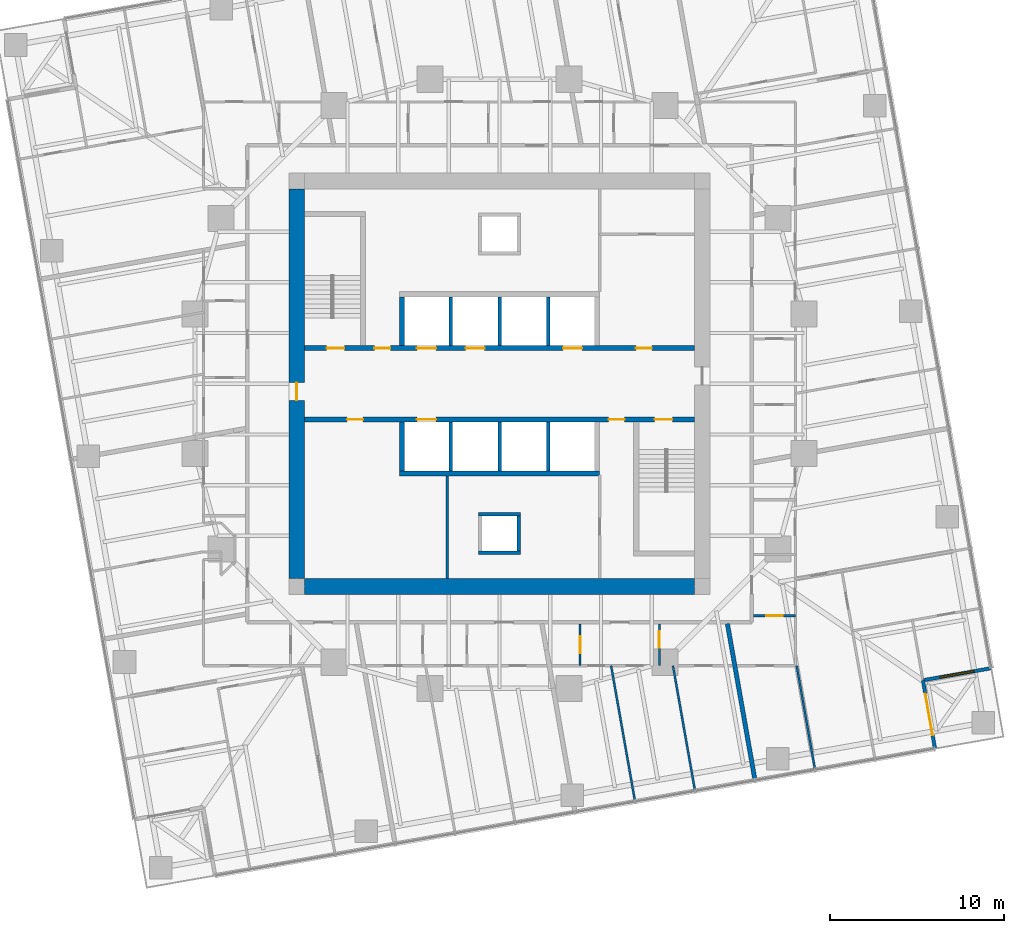
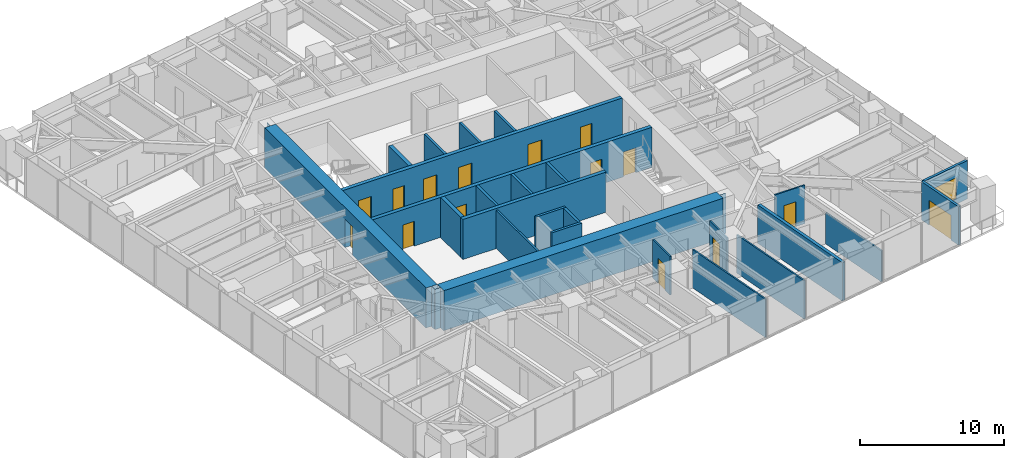
# One storey, part 10 of 14: 26 walls, 15 doors, 1 window, 16 openings.
"""IFC4 building model written with IfcOpenShell, lengths in metres."""

from ifc_helpers import new_model, si_unit, direction, frame, frame_2d, origin, place, context, subcontext, project, spatial, polyline, rectangle, outline, extrude, material, layer, layer_set, type_object, element, fill, save


model = new_model("IFC4")

# Units and contexts
model_context = context("Model", 3, precision=1e-05, world=origin(), true_north=direction((0.0, 1.0)))
body_context = subcontext(model_context, "Body", "Model", "MODEL_VIEW")
ifc_project = project(units=[si_unit("LENGTHUNIT", "METRE"), si_unit("AREAUNIT", "SQUARE_METRE"), si_unit("VOLUMEUNIT", "CUBIC_METRE"), si_unit("PLANEANGLEUNIT", "RADIAN"), si_unit("MASSUNIT", "GRAM", prefix="KILO")], contexts=[model_context])

# Site, building, storey
site_placement = place(None, origin())
site = spatial("IfcSite", under=ifc_project, at=site_placement, CompositionType="ELEMENT")
building_placement = place(site_placement, origin())
building = spatial("IfcBuilding", under=site, at=building_placement, Name="Torsade Residences", CompositionType="ELEMENT")
storey_placement = place(building_placement, frame((0.0, 0.0, 96.39990234375)))
storey = spatial("IfcBuildingStorey", under=building, at=storey_placement, Name="L26", CompositionType="ELEMENT", Elevation=96.39990234375)

# Wall, openings, doors
ifc_material_1 = material(Name="Concrete 80 MPa", Category="concrete")
ifc_layer_1 = layer(ifc_material_1, 0.300048828125)
ifc_layer_set_1 = layer_set([ifc_layer_1], Name="Concrete 80 MPa")
wall_type_1 = type_object("IfcWallType", Name="CORE INTERNAL WALL 300", PredefinedType="SHEAR", material=ifc_layer_set_1)
wall_1_placement = place(storey_placement, frame((28.800048828125, 32.050048828125, 0.0), z_axis=(0.0, 0.0, 1.0), x_axis=(1.0, 0.0, 0.0)))
wall_1 = element("IfcWall", 1, at=wall_1_placement, inside=storey, type_object=wall_type_1, Name="Core wall LN L26", PredefinedType="SHEAR", context=body_context, shape_type="SweptSolid", body=[
    extrude(rectangle(XDim=22.39990234375, YDim=0.300048828125, at=frame_2d((11.199951171875, 0.0))), origin(), (0.0, 0.0, 1.0), 3.400146484375),
])
opening_1_placement = place(wall_1_placement, frame((19.0400390625, 0.0, 0.0)))
opening_1 = element("IfcOpeningElement", 2, at=opening_1_placement, cuts=wall_1, Name="Opening D06", PredefinedType="OPENING", context=body_context, shape_type="SweptSolid", body=[
    extrude(rectangle(XDim=0.919921875, YDim=2.10009765625, at=frame_2d((0.4599609375, 1.050048828125))), frame((0.0, 0.159912109375, 0.0), z_axis=(0.0, -1.0, 0.0), x_axis=(1.0, 0.0, 0.0)), (0.0, 0.0, 1.0), 0.320068359375),
])
opening_2_placement = place(wall_1_placement, frame((1.264892578125, 0.0, 0.0)))
opening_2 = element("IfcOpeningElement", 3, at=opening_2_placement, cuts=wall_1, Name="Opening D03", PredefinedType="OPENING", context=body_context, shape_type="SweptSolid", body=[
    extrude(rectangle(XDim=1.02001953125, YDim=2.10009765625, at=frame_2d((0.510009765625, 1.050048828125))), frame((0.0, 0.159912109375, 0.0), z_axis=(0.0, -1.0, 0.0), x_axis=(1.0, 0.0, 0.0)), (0.0, 0.0, 1.0), 0.320068359375),
])
opening_3_placement = place(wall_1_placement, frame((4.014892578125, 0.0, 0.0)))
opening_3 = element("IfcOpeningElement", 4, at=opening_3_placement, cuts=wall_1, Name="Opening D06", PredefinedType="OPENING", context=body_context, shape_type="SweptSolid", body=[
    extrude(rectangle(XDim=0.919921875, YDim=2.10009765625, at=frame_2d((0.4599609375, 1.050048828125))), frame((0.0, 0.159912109375, 0.0), z_axis=(0.0, -1.0, 0.0), x_axis=(1.0, 0.0, 0.0)), (0.0, 0.0, 1.0), 0.320068359375),
])
opening_4_placement = place(wall_1_placement, frame((6.449951171875, 0.0, 0.0)))
opening_4 = element("IfcOpeningElement", 5, at=opening_4_placement, cuts=wall_1, Name="Opening LD", PredefinedType="OPENING", context=body_context, shape_type="SweptSolid", body=[
    extrude(rectangle(XDim=1.10009765625, YDim=2.10009765625, at=frame_2d((0.550048828125, 1.050048828125))), frame((0.0, 0.159912109375, 0.0), z_axis=(0.0, -1.0, 0.0), x_axis=(1.0, 0.0, 0.0)), (0.0, 0.0, 1.0), 0.320068359375),
])
opening_5_placement = place(wall_1_placement, frame((9.25, 0.0, 0.0)))
opening_5 = element("IfcOpeningElement", 6, at=opening_5_placement, cuts=wall_1, Name="Opening LD", PredefinedType="OPENING", context=body_context, shape_type="SweptSolid", body=[
    extrude(rectangle(XDim=1.10009765625, YDim=2.10009765625, at=frame_2d((0.550048828125, 1.050048828125))), frame((0.0, 0.159912109375, 0.0), z_axis=(0.0, -1.0, 0.0), x_axis=(1.0, 0.0, 0.0)), (0.0, 0.0, 1.0), 0.320068359375),
])
opening_6_placement = place(wall_1_placement, frame((14.85009765625, 0.0, 0.0)))
opening_6 = element("IfcOpeningElement", 7, at=opening_6_placement, cuts=wall_1, Name="Opening LD", PredefinedType="OPENING", context=body_context, shape_type="SweptSolid", body=[
    extrude(rectangle(XDim=1.10009765625, YDim=2.10009765625, at=frame_2d((0.550048828125, 1.050048828125))), frame((0.0, 0.159912109375, 0.0), z_axis=(0.0, -1.0, 0.0), x_axis=(1.0, 0.0, 0.0)), (0.0, 0.0, 1.0), 0.320068359375),
])
ifc_material_2 = material(Name="Steel-framed fire door", Category="steel")
door_type_1 = type_object("IfcDoorType", Name="FIRE DOOR 1020", OperationType="NOTDEFINED", PredefinedType="DOOR", material=ifc_material_2)
door_1_placement = place(opening_2_placement, origin())
door_1 = element("IfcDoor", 8, at=door_1_placement, inside=storey, type_object=door_type_1, Name="Exit door to fire-isolated stair ST1 L26", OperationType="SINGLE_SWING_RIGHT", OverallHeight=2.10009765625, OverallWidth=1.02001953125, PredefinedType="DOOR", context=body_context, shape_type="SweptSolid", body=[
    extrude(rectangle(XDim=1.02001953125, YDim=2.10009765625, at=frame_2d((0.510009765625, 1.050048828125))), frame((0.0, 0.02490234375, 0.0), z_axis=(0.0, -1.0, 0.0), x_axis=(1.0, 0.0, 0.0)), (0.0, 0.0, 1.0), 0.050048828125),
])
fill(opening_2, door_1)
ifc_material_3 = material(Name="Steel-framed fire door", Category="steel")
door_type_2 = type_object("IfcDoorType", Name="FIRE DOOR 920", OperationType="NOTDEFINED", PredefinedType="DOOR", material=ifc_material_3)
door_2_placement = place(opening_1_placement, origin())
door_2 = element("IfcDoor", 9, at=door_2_placement, inside=storey, type_object=door_type_2, Name="Door Lift lobby to Refuse room", OperationType="SINGLE_SWING_LEFT", OverallHeight=2.10009765625, OverallWidth=0.919921875, PredefinedType="DOOR", context=body_context, shape_type="SweptSolid", body=[
    extrude(rectangle(XDim=0.919921875, YDim=2.10009765625, at=frame_2d((0.4599609375, 1.050048828125))), frame((0.0, 0.02490234375, 0.0), z_axis=(0.0, -1.0, 0.0), x_axis=(1.0, 0.0, 0.0)), (0.0, 0.0, 1.0), 0.050048828125),
])
fill(opening_1, door_2)
door_3_placement = place(opening_3_placement, origin())
door_3 = element("IfcDoor", 10, at=door_3_placement, inside=storey, type_object=door_type_2, Name="Door Lift lobby to Electrical riser room", OperationType="SINGLE_SWING_LEFT", OverallHeight=2.10009765625, OverallWidth=0.919921875, PredefinedType="DOOR", context=body_context, shape_type="SweptSolid", body=[
    extrude(rectangle(XDim=0.919921875, YDim=2.10009765625, at=frame_2d((0.4599609375, 1.050048828125))), frame((0.0, 0.02490234375, 0.0), z_axis=(0.0, -1.0, 0.0), x_axis=(1.0, 0.0, 0.0)), (0.0, 0.0, 1.0), 0.050048828125),
])
fill(opening_3, door_3)
ifc_material_4 = material(Name="Stainless steel lift landing door", Category="steel")
door_type_3 = type_object("IfcDoorType", Name="LIFT LANDING DOOR 1100", OperationType="SLIDING_TO_LEFT", PredefinedType="DOOR", material=ifc_material_4)
door_4_placement = place(opening_4_placement, origin())
door_4 = element("IfcDoor", 11, at=door_4_placement, inside=storey, type_object=door_type_3, Name="Lift LA1 landing door L26", OperationType="SLIDING_TO_LEFT", OverallHeight=2.10009765625, OverallWidth=1.10009765625, PredefinedType="DOOR", context=body_context, shape_type="SweptSolid", body=[
    extrude(rectangle(XDim=1.10009765625, YDim=2.10009765625, at=frame_2d((0.550048828125, 1.050048828125))), frame((0.0, 0.02490234375, 0.0), z_axis=(0.0, -1.0, 0.0), x_axis=(1.0, 0.0, 0.0)), (0.0, 0.0, 1.0), 0.050048828125),
])
fill(opening_4, door_4)
door_5_placement = place(opening_5_placement, origin())
door_5 = element("IfcDoor", 12, at=door_5_placement, inside=storey, type_object=door_type_3, Name="Lift LA2 landing door L26", OperationType="SLIDING_TO_LEFT", OverallHeight=2.10009765625, OverallWidth=1.10009765625, PredefinedType="DOOR", context=body_context, shape_type="SweptSolid", body=[
    extrude(rectangle(XDim=1.10009765625, YDim=2.10009765625, at=frame_2d((0.550048828125, 1.050048828125))), frame((0.0, 0.02490234375, 0.0), z_axis=(0.0, -1.0, 0.0), x_axis=(1.0, 0.0, 0.0)), (0.0, 0.0, 1.0), 0.050048828125),
])
fill(opening_5, door_5)
door_6_placement = place(opening_6_placement, origin())
door_6 = element("IfcDoor", 13, at=door_6_placement, inside=storey, type_object=door_type_3, Name="Lift FL1 landing door L26", OperationType="SLIDING_TO_LEFT", OverallHeight=2.10009765625, OverallWidth=1.10009765625, PredefinedType="DOOR", context=body_context, shape_type="SweptSolid", body=[
    extrude(rectangle(XDim=1.10009765625, YDim=2.10009765625, at=frame_2d((0.550048828125, 1.050048828125))), frame((0.0, 0.02490234375, 0.0), z_axis=(0.0, -1.0, 0.0), x_axis=(1.0, 0.0, 0.0)), (0.0, 0.0, 1.0), 0.050048828125),
])
fill(opening_6, door_6)

wall_2_placement = place(storey_placement, frame((51.199951171875, 27.949951171875, 0.0), z_axis=(0.0, 0.0, 1.0), x_axis=(-1.0, 0.0, 0.0)))
wall_2 = element("IfcWall", 14, at=wall_2_placement, inside=storey, type_object=wall_type_1, Name="Core wall LS L26", PredefinedType="SHEAR", context=body_context, shape_type="SweptSolid", body=[
    extrude(rectangle(XDim=22.39990234375, YDim=0.300048828125, at=frame_2d((11.199951171875, 0.0))), origin(), (0.0, 0.0, 1.0), 3.400146484375),
])
opening_7_placement = place(wall_2_placement, frame((19.0400390625, 0.0, 0.0)))
opening_7 = element("IfcOpeningElement", 15, at=opening_7_placement, cuts=wall_2, Name="Opening D06", PredefinedType="OPENING", context=body_context, shape_type="SweptSolid", body=[
    extrude(rectangle(XDim=0.919921875, YDim=2.10009765625, at=frame_2d((0.4599609375, 1.050048828125))), frame((0.0, 0.159912109375, 0.0), z_axis=(0.0, -1.0, 0.0), x_axis=(1.0, 0.0, 0.0)), (0.0, 0.0, 1.0), 0.320068359375),
])
opening_8_placement = place(wall_2_placement, frame((1.264892578125, 0.0, 0.0)))
opening_8 = element("IfcOpeningElement", 16, at=opening_8_placement, cuts=wall_2, Name="Opening D03", PredefinedType="OPENING", context=body_context, shape_type="SweptSolid", body=[
    extrude(rectangle(XDim=1.02001953125, YDim=2.10009765625, at=frame_2d((0.510009765625, 1.050048828125))), frame((0.0, 0.159912109375, 0.0), z_axis=(0.0, -1.0, 0.0), x_axis=(1.0, 0.0, 0.0)), (0.0, 0.0, 1.0), 0.320068359375),
])
opening_9_placement = place(wall_2_placement, frame((4.014892578125, 0.0, 0.0)))
opening_9 = element("IfcOpeningElement", 17, at=opening_9_placement, cuts=wall_2, Name="Opening D06", PredefinedType="OPENING", context=body_context, shape_type="SweptSolid", body=[
    extrude(rectangle(XDim=0.919921875, YDim=2.10009765625, at=frame_2d((0.4599609375, 1.050048828125))), frame((0.0, 0.159912109375, 0.0), z_axis=(0.0, -1.0, 0.0), x_axis=(1.0, 0.0, 0.0)), (0.0, 0.0, 1.0), 0.320068359375),
])
opening_10_placement = place(wall_2_placement, frame((14.85009765625, 0.0, 0.0)))
opening_10 = element("IfcOpeningElement", 18, at=opening_10_placement, cuts=wall_2, Name="Opening LD", PredefinedType="OPENING", context=body_context, shape_type="SweptSolid", body=[
    extrude(rectangle(XDim=1.10009765625, YDim=2.10009765625, at=frame_2d((0.550048828125, 1.050048828125))), frame((0.0, 0.159912109375, 0.0), z_axis=(0.0, -1.0, 0.0), x_axis=(1.0, 0.0, 0.0)), (0.0, 0.0, 1.0), 0.320068359375),
])
door_7_placement = place(opening_8_placement, origin())
door_7 = element("IfcDoor", 19, at=door_7_placement, inside=storey, type_object=door_type_1, Name="Exit door to fire-isolated stair ST2 L26", OperationType="SINGLE_SWING_RIGHT", OverallHeight=2.10009765625, OverallWidth=1.02001953125, PredefinedType="DOOR", context=body_context, shape_type="SweptSolid", body=[
    extrude(rectangle(XDim=1.02001953125, YDim=2.10009765625, at=frame_2d((0.510009765625, 1.050048828125))), frame((0.0, 0.02490234375, 0.0), z_axis=(0.0, -1.0, 0.0), x_axis=(1.0, 0.0, 0.0)), (0.0, 0.0, 1.0), 0.050048828125),
])
fill(opening_8, door_7)
door_8_placement = place(opening_7_placement, origin())
door_8 = element("IfcDoor", 20, at=door_8_placement, inside=storey, type_object=door_type_2, Name="Door Lift lobby to Cleaner store", OperationType="SINGLE_SWING_LEFT", OverallHeight=2.10009765625, OverallWidth=0.919921875, PredefinedType="DOOR", context=body_context, shape_type="SweptSolid", body=[
    extrude(rectangle(XDim=0.919921875, YDim=2.10009765625, at=frame_2d((0.4599609375, 1.050048828125))), frame((0.0, 0.02490234375, 0.0), z_axis=(0.0, -1.0, 0.0), x_axis=(1.0, 0.0, 0.0)), (0.0, 0.0, 1.0), 0.050048828125),
])
fill(opening_7, door_8)
door_9_placement = place(opening_9_placement, origin())
door_9 = element("IfcDoor", 21, at=door_9_placement, inside=storey, type_object=door_type_2, Name="Door Lift lobby to Security and data store", OperationType="SINGLE_SWING_RIGHT", OverallHeight=2.10009765625, OverallWidth=0.919921875, PredefinedType="DOOR", context=body_context, shape_type="SweptSolid", body=[
    extrude(rectangle(XDim=0.919921875, YDim=2.10009765625, at=frame_2d((0.4599609375, 1.050048828125))), frame((0.0, 0.02490234375, 0.0), z_axis=(0.0, -1.0, 0.0), x_axis=(1.0, 0.0, 0.0)), (0.0, 0.0, 1.0), 0.050048828125),
])
fill(opening_9, door_9)
door_10_placement = place(opening_10_placement, origin())
door_10 = element("IfcDoor", 22, at=door_10_placement, inside=storey, type_object=door_type_3, Name="Lift FL2 landing door L26", OperationType="SLIDING_TO_LEFT", OverallHeight=2.10009765625, OverallWidth=1.10009765625, PredefinedType="DOOR", context=body_context, shape_type="SweptSolid", body=[
    extrude(rectangle(XDim=1.10009765625, YDim=2.10009765625, at=frame_2d((0.550048828125, 1.050048828125))), frame((0.0, 0.02490234375, 0.0), z_axis=(0.0, -1.0, 0.0), x_axis=(1.0, 0.0, 0.0)), (0.0, 0.0, 1.0), 0.050048828125),
])
fill(opening_10, door_10)

# Walls
wall_3_placement = place(storey_placement, frame((45.75, 24.85009765625, 0.0), z_axis=(0.0, 0.0, 1.0), x_axis=(-1.0, 0.0, 0.0)))
element("IfcWall", 23, at=wall_3_placement, inside=storey, type_object=wall_type_1, Name="Core wall BS L26", PredefinedType="SHEAR", context=body_context, shape_type="SweptSolid", body=[
    extrude(rectangle(XDim=11.5, YDim=0.300048828125, at=frame_2d((5.75, 0.0))), origin(), (0.0, 0.0, 1.0), 3.400146484375),
])
for number, where, z_axis, x_axis, name in (
    (24, (34.39990234375, 32.199951171875, 0.0), (0.0, 0.0, 1.0), (0.0, 1.0, 0.0), "Core wall DN0 L26"),
    (25, (34.39990234375, 27.800048828125, 0.0), (0.0, 0.0, 1.0), (0.0, -1.0, 0.0), "Core wall DS4 L26"),
):
    element("IfcWall", number, at=place(storey_placement, frame(where, z_axis=z_axis, x_axis=x_axis)), inside=storey, type_object=wall_type_1, Name=name, PredefinedType="SHEAR", context=body_context, shape_type="SweptSolid", body=[
        extrude(rectangle(XDim=2.800048828125, YDim=0.300048828125, at=frame_2d((1.39990234375, 0.0))), origin(), (0.0, 0.0, 1.0), 3.400146484375),
    ])
ifc_material_5 = material(Name="Concrete 80 MPa", Category="concrete")
ifc_layer_2 = layer(ifc_material_5, 0.89990234375)
ifc_layer_set_2 = layer_set([ifc_layer_2], Name="Concrete 80 MPa")
wall_type_2 = type_object("IfcWallType", Name="CORE WALL 900", PredefinedType="SHEAR", material=ifc_layer_set_2)
wall_4_placement = place(storey_placement, frame((51.199951171875, 18.35009765625, 0.0), z_axis=(0.0, 0.0, 1.0), x_axis=(-1.0, 0.0, 0.0)))
element("IfcWall", 26, at=wall_4_placement, inside=storey, type_object=wall_type_2, Name="Core wall S L26", PredefinedType="SHEAR", context=body_context, shape_type="SweptSolid", body=[
    extrude(outline(polyline([(0.0, -0.449951171875), (22.39990234375, -0.449951171875), (22.39990234375, -0.02490234375), (22.849853515625, -0.02490234375), (22.849853515625, 0.02490234375), (22.39990234375, 0.02490234375), (22.39990234375, 0.449951171875), (0.0, 0.449951171875), (0.0, 0.02490234375), (-0.449951171875, 0.02490234375), (-0.449951171875, -0.02490234375), (0.0, -0.02490234375), (0.0, -0.449951171875)])), origin(), (0.0, 0.0, 1.0), 3.400146484375),
])

# Wall, opening, door
wall_5_placement = place(storey_placement, frame((28.35009765625, 41.199951171875, 0.0), z_axis=(0.0, 0.0, 1.0), x_axis=(0.0, -1.0, 0.0)))
wall_5 = element("IfcWall", 27, at=wall_5_placement, inside=storey, type_object=wall_type_2, Name="Core wall W L26", PredefinedType="SHEAR", context=body_context, shape_type="SweptSolid", body=[
    extrude(outline(polyline([(0.0, -0.449951171875), (22.39990234375, -0.449951171875), (22.39990234375, -0.02490234375), (22.849853515625, -0.02490234375), (22.849853515625, 0.02490234375), (22.39990234375, 0.02490234375), (22.39990234375, 0.449951171875), (0.0, 0.449951171875), (0.0, 0.02490234375), (-0.449951171875, 0.02490234375), (-0.449951171875, -0.02490234375), (0.0, -0.02490234375), (0.0, -0.449951171875)])), origin(), (0.0, 0.0, 1.0), 3.400146484375),
])
opening_11_placement = place(wall_5_placement, frame((11.139892578125, 0.0, 0.0)))
opening_11 = element("IfcOpeningElement", 28, at=opening_11_placement, cuts=wall_5, Name="Opening D04", PredefinedType="OPENING", context=body_context, shape_type="SweptSolid", body=[
    extrude(rectangle(XDim=1.02001953125, YDim=2.39990234375, at=frame_2d((0.510009765625, 1.199951171875))), frame((0.0, 0.4599609375, 0.0), z_axis=(0.0, -1.0, 0.0), x_axis=(1.0, 0.0, 0.0)), (0.0, 0.0, 1.0), 0.919921875),
])
ifc_material_6 = material(Name="Steel-framed fire door", Category="steel")
door_type_4 = type_object("IfcDoorType", Name="LOBBY SMOKE DOOR 1020x2400", OperationType="NOTDEFINED", PredefinedType="DOOR", material=ifc_material_6)
door_11_placement = place(opening_11_placement, origin())
door_11 = element("IfcDoor", 29, at=door_11_placement, inside=storey, type_object=door_type_4, Name="Lift lobby door W L26", OperationType="SINGLE_SWING_RIGHT", OverallHeight=2.39990234375, OverallWidth=1.02001953125, PredefinedType="DOOR", context=body_context, shape_type="SweptSolid", body=[
    extrude(rectangle(XDim=1.02001953125, YDim=2.39990234375, at=frame_2d((0.510009765625, 1.199951171875))), frame((0.0, 0.02490234375, 0.0), z_axis=(0.0, -1.0, 0.0), x_axis=(1.0, 0.0, 0.0)), (0.0, 0.0, 1.0), 0.050048828125),
])
fill(opening_11, door_11)

# Walls
ifc_material_7 = material(Name="Reinforced blockwork", Category="masonry")
ifc_layer_3 = layer(ifc_material_7, 0.199951171875)
ifc_layer_set_3 = layer_set([ifc_layer_3], Name="Reinforced blockwork")
wall_type_3 = type_object("IfcWallType", Name="LIFT SHAFT DIVIDING WALL 200", PredefinedType="SOLIDWALL", material=ifc_layer_set_3)
for number, where, z_axis, x_axis, name in (
    (30, (37.199951171875, 32.199951171875, 0.0), (0.0, 0.0, 1.0), (0.0, 1.0, 0.0), "Core wall DN1 L26"),
    (31, (42.800048828125, 27.800048828125, 0.0), (0.0, 0.0, 1.0), (0.0, -1.0, 0.0), "Core wall DS1 L26"),
    (32, (40.0, 32.199951171875, 0.0), (0.0, 0.0, 1.0), (0.0, 1.0, 0.0), "Core wall DN2 L26"),
    (33, (40.0, 27.800048828125, 0.0), (0.0, 0.0, 1.0), (0.0, -1.0, 0.0), "Core wall DS2 L26"),
    (34, (42.800048828125, 32.199951171875, 0.0), (0.0, 0.0, 1.0), (0.0, 1.0, 0.0), "Core wall DN3 L26"),
    (35, (37.199951171875, 27.800048828125, 0.0), (0.0, 0.0, 1.0), (0.0, -1.0, 0.0), "Core wall DS3 L26"),
):
    element("IfcWall", number, at=place(storey_placement, frame(where, z_axis=z_axis, x_axis=x_axis)), inside=storey, type_object=wall_type_3, Name=name, PredefinedType="SOLIDWALL", context=body_context, shape_type="SweptSolid", body=[
        extrude(rectangle(XDim=2.800048828125, YDim=0.199951171875, at=frame_2d((1.39990234375, 0.0))), origin(), (0.0, 0.0, 1.0), 3.400146484375),
    ])

# Wall, opening, door
ifc_material_8 = material(Name="Plasterboard on steel stud", Category="steel")
ifc_layer_4 = layer(ifc_material_8, 0.1201171875)
ifc_layer_set_4 = layer_set([ifc_layer_4], Name="Plasterboard on steel stud")
wall_type_4 = type_object("IfcWallType", Name="PARTITION 120", PredefinedType="PARTITIONING", material=ifc_layer_set_4)
wall_6_placement = place(storey_placement, frame((49.184814453125, 16.199951171875, 0.0), z_axis=(0.0, 0.0, 1.0), x_axis=(0.0, -1.0, 0.0)))
wall_6 = element("IfcWall", 36, at=wall_6_placement, inside=storey, type_object=wall_type_4, Name="Partition L26", PredefinedType="PARTITIONING", context=body_context, shape_type="SweptSolid", body=[
    extrude(rectangle(XDim=2.39990234375, YDim=0.1201171875, at=frame_2d((1.199951171875, 0.0))), origin(), (0.0, 0.0, 1.0), 3.25),
])
opening_12_placement = place(wall_6_placement, frame((0.419921875, 0.0, 0.0)))
opening_12 = element("IfcOpeningElement", 37, at=opening_12_placement, cuts=wall_6, Name="Opening D05", PredefinedType="OPENING", context=body_context, shape_type="SweptSolid", body=[
    extrude(rectangle(XDim=0.9599609375, YDim=2.10009765625, at=frame_2d((0.47998046875, 1.050048828125))), frame((0.0, 0.070068359375, 0.0), z_axis=(0.0, -1.0, 0.0), x_axis=(1.0, 0.0, 0.0)), (0.0, 0.0, 1.0), 0.14013671875),
])
ifc_material_9 = material(Name="Hollow-core timber door in a steel cavity frame", Category="steel")
door_type_5 = type_object("IfcDoorType", Name="BATHROOM CAVITY SLIDING DOOR 960", OperationType="SLIDING_TO_LEFT", PredefinedType="DOOR", material=ifc_material_9)
door_12_placement = place(opening_12_placement, origin())
door_12 = element("IfcDoor", 38, at=door_12_placement, inside=storey, type_object=door_type_5, Name="Door Kitchen and dining to Bathroom", OperationType="SLIDING_TO_LEFT", OverallHeight=2.10009765625, OverallWidth=0.9599609375, PredefinedType="DOOR", context=body_context, shape_type="SweptSolid", body=[
    extrude(rectangle(XDim=0.9599609375, YDim=2.10009765625, at=frame_2d((0.47998046875, 1.050048828125))), frame((0.0, 0.02490234375, 0.0), z_axis=(0.0, -1.0, 0.0), x_axis=(1.0, 0.0, 0.0)), (0.0, 0.0, 1.0), 0.050048828125),
])
fill(opening_12, door_12)

wall_7_placement = place(storey_placement, frame((44.627685546875, 13.800048828125, 0.0), z_axis=(0.0, 0.0, 1.0), x_axis=(0.0, 1.0, 0.0)))
wall_7 = element("IfcWall", 39, at=wall_7_placement, inside=storey, type_object=wall_type_4, Name="Partition L26", PredefinedType="PARTITIONING", context=body_context, shape_type="SweptSolid", body=[
    extrude(rectangle(XDim=2.39990234375, YDim=0.1201171875, at=frame_2d((1.199951171875, 0.0))), origin(), (0.0, 0.0, 1.0), 3.25),
])
opening_13_placement = place(wall_7_placement, frame((0.719970703125, 0.0, 0.0)))
opening_13 = element("IfcOpeningElement", 40, at=opening_13_placement, cuts=wall_7, Name="Opening D05", PredefinedType="OPENING", context=body_context, shape_type="SweptSolid", body=[
    extrude(rectangle(XDim=0.9599609375, YDim=2.10009765625, at=frame_2d((0.47998046875, 1.050048828125))), frame((0.0, 0.070068359375, 0.0), z_axis=(0.0, -1.0, 0.0), x_axis=(1.0, 0.0, 0.0)), (0.0, 0.0, 1.0), 0.14013671875),
])
door_13_placement = place(opening_13_placement, origin())
door_13 = element("IfcDoor", 41, at=door_13_placement, inside=storey, type_object=door_type_5, Name="Door Kitchen and dining to Ensuite", OperationType="SLIDING_TO_LEFT", OverallHeight=2.10009765625, OverallWidth=0.9599609375, PredefinedType="DOOR", context=body_context, shape_type="SweptSolid", body=[
    extrude(rectangle(XDim=0.9599609375, YDim=2.10009765625, at=frame_2d((0.47998046875, 1.050048828125))), frame((0.0, 0.02490234375, 0.0), z_axis=(0.0, -1.0, 0.0), x_axis=(1.0, 0.0, 0.0)), (0.0, 0.0, 1.0), 0.050048828125),
])
fill(opening_13, door_13)

# Walls
wall_8_placement = place(storey_placement, frame((46.410400390625, 13.800048828125, 0.0), z_axis=(0.0, 0.0, 1.0), x_axis=(0.173645935638, -0.98480814834, 0.0)))
element("IfcWall", 42, at=wall_8_placement, inside=storey, type_object=wall_type_4, Name="Partition L26", PredefinedType="PARTITIONING", context=body_context, shape_type="SweptSolid", body=[
    extrude(rectangle(XDim=7.89306640625, YDim=0.1201171875, at=frame_2d((3.946533203125, 0.0))), origin(), (0.0, 0.0, 1.0), 3.25),
])
wall_9_placement = place(storey_placement, frame((49.96435546875, 13.800048828125, 0.0), z_axis=(0.0, 0.0, 1.0), x_axis=(0.173647508681, -0.984807870972, 0.0)))
element("IfcWall", 43, at=wall_9_placement, inside=storey, type_object=wall_type_4, Name="Partition L26", PredefinedType="PARTITIONING", context=body_context, shape_type="SweptSolid", body=[
    extrude(rectangle(XDim=7.27587890625, YDim=0.1201171875, at=frame_2d((3.637939453125, 0.0))), origin(), (0.0, 0.0, 1.0), 3.25),
])

# Wall, opening, door
wall_10_placement = place(storey_placement, frame((57.0, 16.671142578125, 0.0), z_axis=(0.0, 0.0, 1.0), x_axis=(-1.0, 0.0, 0.0)))
wall_10 = element("IfcWall", 44, at=wall_10_placement, inside=storey, type_object=wall_type_4, Name="Partition L26", PredefinedType="PARTITIONING", context=body_context, shape_type="SweptSolid", body=[
    extrude(rectangle(XDim=2.39990234375, YDim=0.1201171875, at=frame_2d((1.199951171875, 0.0))), origin(), (0.0, 0.0, 1.0), 3.25),
])
opening_14_placement = place(wall_10_placement, frame((0.719970703125, 0.0, 0.0)))
opening_14 = element("IfcOpeningElement", 45, at=opening_14_placement, cuts=wall_10, Name="Opening D05", PredefinedType="OPENING", context=body_context, shape_type="SweptSolid", body=[
    extrude(rectangle(XDim=0.9599609375, YDim=2.10009765625, at=frame_2d((0.47998046875, 1.050048828125))), frame((0.0, 0.070068359375, 0.0), z_axis=(0.0, -1.0, 0.0), x_axis=(1.0, 0.0, 0.0)), (0.0, 0.0, 1.0), 0.14013671875),
])
door_14_placement = place(opening_14_placement, origin())
door_14 = element("IfcDoor", 46, at=door_14_placement, inside=storey, type_object=door_type_5, Name="Door Kitchen and dining to WC", OperationType="SLIDING_TO_LEFT", OverallHeight=2.10009765625, OverallWidth=0.9599609375, PredefinedType="DOOR", context=body_context, shape_type="SweptSolid", body=[
    extrude(rectangle(XDim=0.9599609375, YDim=2.10009765625, at=frame_2d((0.47998046875, 1.050048828125))), frame((0.0, 0.02490234375, 0.0), z_axis=(0.0, -1.0, 0.0), x_axis=(1.0, 0.0, 0.0)), (0.0, 0.0, 1.0), 0.050048828125),
])
fill(opening_14, door_14)

# Walls
wall_11_placement = place(storey_placement, frame((58.12158203125, 7.850341796875, 0.0), z_axis=(0.0, 0.0, 1.0), x_axis=(-0.173644708382, 0.984808364734, 0.0)))
element("IfcWall", 47, at=wall_11_placement, inside=storey, type_object=wall_type_4, Name="Partition L26", PredefinedType="PARTITIONING", context=body_context, shape_type="SweptSolid", body=[
    extrude(rectangle(XDim=6.04150390625, YDim=0.1201171875, at=frame_2d((3.020751953125, 0.0))), origin(), (0.0, 0.0, 1.0), 2.63818359375),
])
ifc_material_10 = material(Name="Masonry-lined stud party wall", Category="masonry")
ifc_layer_5 = layer(ifc_material_10, 0.25)
ifc_layer_set_5 = layer_set([ifc_layer_5], Name="Masonry-lined stud party wall")
wall_type_5 = type_object("IfcWallType", Name="PARTY WALL 250", PredefinedType="PARTITIONING", material=ifc_layer_set_5)
wall_12_placement = place(storey_placement, frame((54.681640625, 7.203125, 0.0), z_axis=(0.0, 0.0, 1.0), x_axis=(-0.173630137029, 0.984810933893, 0.0)))
element("IfcWall", 48, at=wall_12_placement, inside=storey, type_object=wall_type_5, Name="Party wall L26", PredefinedType="PARTITIONING", context=body_context, shape_type="SweptSolid", body=[
    extrude(rectangle(XDim=9.153564453125, YDim=0.25, at=frame_2d((4.57666015625, 0.0))), origin(), (0.0, 0.0, 1.0), 3.25),
])
ifc_material_11 = material(Name="Reinforced blockwork", Category="masonry")
ifc_layer_6 = layer(ifc_material_11, 0.199951171875)
ifc_layer_set_6 = layer_set([ifc_layer_6], Name="Reinforced blockwork")
wall_type_6 = type_object("IfcWallType", Name="RISER SHAFT WALL 200", PredefinedType="SOLIDWALL", material=ifc_layer_set_6)
wall_13_placement = place(storey_placement, frame((41.10009765625, 22.39990234375, 0.0), z_axis=(0.0, 0.0, 1.0), x_axis=(0.0, -1.0, 0.0)))
element("IfcWall", 49, at=wall_13_placement, inside=storey, type_object=wall_type_6, Name="Core wall RS2b L26", PredefinedType="SOLIDWALL", context=body_context, shape_type="SweptSolid", body=[
    extrude(rectangle(XDim=2.0, YDim=0.199951171875, at=frame_2d((1.0, 0.0))), origin(), (0.0, 0.0, 1.0), 3.400146484375),
])
for number, where, z_axis, x_axis, name in (
    (50, (38.800048828125, 22.5, 0.0), (0.0, 0.0, 1.0), (1.0, 0.0, 0.0), "Core wall RS2c L26"),
    (51, (38.800048828125, 20.300048828125, 0.0), (0.0, 0.0, 1.0), (1.0, 0.0, 0.0), "Core wall RS2d L26"),
):
    element("IfcWall", number, at=place(storey_placement, frame(where, z_axis=z_axis, x_axis=x_axis)), inside=storey, type_object=wall_type_6, Name=name, PredefinedType="SOLIDWALL", context=body_context, shape_type="SweptSolid", body=[
        extrude(rectangle(XDim=2.39990234375, YDim=0.199951171875, at=frame_2d((1.199951171875, 0.0))), origin(), (0.0, 0.0, 1.0), 3.400146484375),
    ])
ifc_material_12 = material(Name="Reinforced blockwork", Category="masonry")
ifc_layer_7 = layer(ifc_material_12, 0.14990234375)
ifc_layer_set_7 = layer_set([ifc_layer_7], Name="Reinforced blockwork")
wall_type_7 = type_object("IfcWallType", Name="SERVICE ROOM WALL 150", PredefinedType="SOLIDWALL", material=ifc_layer_set_7)
wall_14_placement = place(storey_placement, frame((37.0, 18.800048828125, 0.0), z_axis=(0.0, 0.0, 1.0), x_axis=(0.0, 1.0, 0.0)))
element("IfcWall", 52, at=wall_14_placement, inside=storey, type_object=wall_type_7, Name="Service room wall L26", PredefinedType="SOLIDWALL", context=body_context, shape_type="SweptSolid", body=[
    extrude(rectangle(XDim=5.89990234375, YDim=0.14990234375, at=frame_2d((2.949951171875, 0.0))), origin(), (0.0, 0.0, 1.0), 3.25),
])

# Wall, opening, door
ifc_material_13 = material(Name="Stone-faced precast concrete 40 MPa panel", Category="masonry")
ifc_layer_8 = layer(ifc_material_13, 0.199951171875)
ifc_layer_set_8 = layer_set([ifc_layer_8], Name="Stone-faced precast concrete 40 MPa panel")
wall_type_8 = type_object("IfcWallType", Name="TERRACE WALL 200", PredefinedType="SOLIDWALL", material=ifc_layer_set_8)
wall_15_placement = place(storey_placement, frame((65.022216796875, 9.0263671875, 0.0), z_axis=(0.0, 0.0, 1.0), x_axis=(-0.173646056486, 0.984808127031, 0.0)))
wall_15 = element("IfcWall", 53, at=wall_15_placement, inside=storey, type_object=wall_type_8, Name="Terrace wall L26 2", PredefinedType="SOLIDWALL", context=body_context, shape_type="SweptSolid", body=[
    extrude(rectangle(XDim=4.0, YDim=0.199951171875, at=frame_2d((2.0, 0.0))), origin(), (0.0, 0.0, 1.0), 3.25),
])
opening_15_placement = place(wall_15_placement, frame((0.800048828125, 0.0, 0.0)))
opening_15 = element("IfcOpeningElement", 54, at=opening_15_placement, cuts=wall_15, Name="Opening D10A", PredefinedType="OPENING", context=body_context, shape_type="SweptSolid", body=[
    extrude(rectangle(XDim=2.39990234375, YDim=2.10009765625, at=frame_2d((1.199951171875, 1.050048828125))), frame((0.0, 0.10986328125, 0.0), z_axis=(0.0, -1.0, 0.0), x_axis=(1.0, 0.0, 0.0)), (0.0, 0.0, 1.0), 0.219970703125),
])
ifc_material_14 = material(Name="Aluminium-framed glass door", Category="aluminium")
door_type_6 = type_object("IfcDoorType", Name="TERRACE SLIDING DOOR 2400x2100", OperationType="SLIDING_TO_LEFT", PredefinedType="DOOR", material=ifc_material_14)
door_15_placement = place(opening_15_placement, origin())
door_15 = element("IfcDoor", 55, at=door_15_placement, inside=storey, type_object=door_type_6, Name="Terrace door L26 2", OperationType="SLIDING_TO_LEFT", OverallHeight=2.10009765625, OverallWidth=2.39990234375, PredefinedType="DOOR", context=body_context, shape_type="SweptSolid", body=[
    extrude(rectangle(XDim=2.39990234375, YDim=2.10009765625, at=frame_2d((1.199951171875, 1.050048828125))), frame((0.0, 0.02490234375, 0.0), z_axis=(0.0, -1.0, 0.0), x_axis=(1.0, 0.0, 0.0)), (0.0, 0.0, 1.0), 0.050048828125),
])
fill(opening_15, door_15)

# Wall, opening, window
wall_16_placement = place(storey_placement, frame((64.32763671875, 12.965576171875, 0.0), z_axis=(0.0, 0.0, 1.0), x_axis=(0.984808127031, 0.173646056486, 0.0)))
wall_16 = element("IfcWall", 56, at=wall_16_placement, inside=storey, type_object=wall_type_8, Name="Terrace wall L26 3", PredefinedType="SOLIDWALL", context=body_context, shape_type="SweptSolid", body=[
    extrude(rectangle(XDim=4.0, YDim=0.199951171875, at=frame_2d((2.0, 0.0))), origin(), (0.0, 0.0, 1.0), 3.25),
])
opening_16_placement = place(wall_16_placement, frame((1.0, 0.0, 0.449951171875)))
opening_16 = element("IfcOpeningElement", 57, at=opening_16_placement, cuts=wall_16, Name="Opening W1B", PredefinedType="OPENING", context=body_context, shape_type="SweptSolid", body=[
    extrude(rectangle(XDim=2.0, YDim=1.800048828125, at=frame_2d((1.0, 0.89990234375))), frame((0.0, 0.10986328125, 0.0), z_axis=(0.0, -1.0, 0.0), x_axis=(1.0, 0.0, 0.0)), (0.0, 0.0, 1.0), 0.219970703125),
])
ifc_material_15 = material(Name="Aluminium-framed glass window", Category="aluminium")
window_type = type_object("IfcWindowType", Name="TERRACE WINDOW 2000x1800", PartitioningType="SINGLE_PANEL", PredefinedType="WINDOW", material=ifc_material_15)
window_placement = place(opening_16_placement, origin())
window = element("IfcWindow", 58, at=window_placement, inside=storey, type_object=window_type, Name="Terrace window L26 3", OverallHeight=1.800048828125, OverallWidth=2.0, PartitioningType="SINGLE_PANEL", PredefinedType="WINDOW", context=body_context, shape_type="SweptSolid", body=[
    extrude(rectangle(XDim=2.0, YDim=1.800048828125, at=frame_2d((1.0, 0.89990234375))), frame((0.0, 0.030029296875, 0.0), z_axis=(0.0, -1.0, 0.0), x_axis=(1.0, 0.0, 0.0)), (0.0, 0.0, 1.0), 0.06005859375),
])
fill(opening_16, window)

save(model, "model.ifc")
